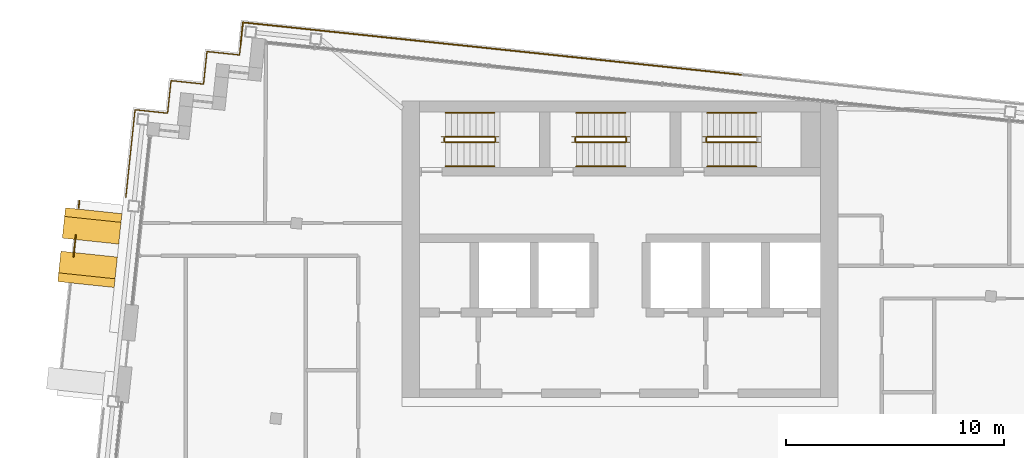
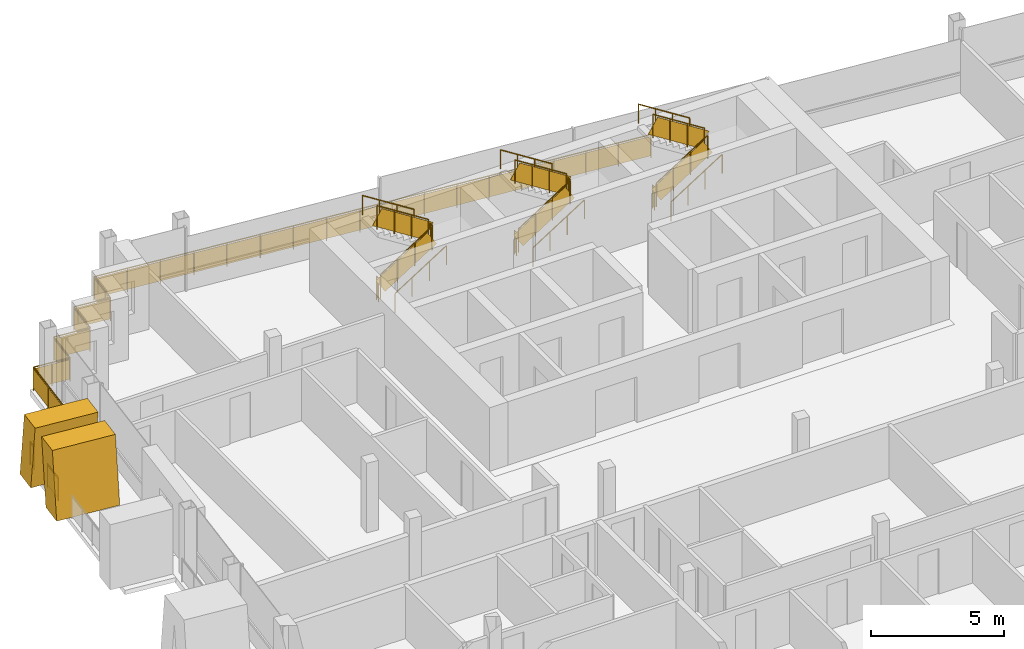
# One storey, part 15 of 16: 22 railings, 2 shading devices.
"""IFC4 building model written with IfcOpenShell, lengths in metres."""

from ifc_helpers import new_model, si_unit, direction, frame, origin, origin_2d, place, context, subcontext, project, spatial, polyline, rectangle, circle, outline, extrude, material, layer, layer_set, type_object, element, save


model = new_model("IFC4")

# Units and contexts
model_context = context("Model", 3, precision=1e-05, world=origin(), true_north=direction((0.0, 1.0)))
body_context = subcontext(model_context, "Body", "Model", "MODEL_VIEW")
ifc_project = project(units=[si_unit("LENGTHUNIT", "METRE"), si_unit("AREAUNIT", "SQUARE_METRE"), si_unit("VOLUMEUNIT", "CUBIC_METRE"), si_unit("PLANEANGLEUNIT", "RADIAN"), si_unit("MASSUNIT", "GRAM", prefix="KILO")], contexts=[model_context])

# Site, building, storey
site_placement = place(None, origin())
site = spatial("IfcSite", under=ifc_project, at=site_placement, CompositionType="ELEMENT")
building_placement = place(site_placement, origin())
building = spatial("IfcBuilding", under=site, at=building_placement, Name="Vidyagriha Tower", CompositionType="ELEMENT")
storey_placement = place(building_placement, frame((0.0, 0.0, 256.300048828125)))
storey = spatial("IfcBuildingStorey", under=building, at=storey_placement, Name="L66", CompositionType="ELEMENT", Elevation=256.300048828125)

# Railings
ifc_material_1 = material(Name="Steel ASTM A500 Grade C black painted", Category="steel")
railing_type_1 = type_object("IfcRailingType", Name="Balcony guard 1100", PredefinedType="BALUSTRADE", material=ifc_material_1)
railing_1_placement = place(storey_placement, frame((-24.7763671875, 15.435302734375, 0.0)))
element("IfcRailing", 1, at=railing_1_placement, inside=storey, type_object=railing_type_1, Name="Balcony guard L66 R14.1-1", PredefinedType="BALUSTRADE", context=body_context, shape_type="SweptSolid", body=[
    extrude(circle(Radius=0.02490234375, at=origin_2d()), frame((0.0, 0.0, 1.0751953125), z_axis=(-0.104612176701, -0.99451309317, 0.0), x_axis=(0.99451309317, -0.104612176701, 0.0)), (0.0, 0.0, 1.0), 0.35009765625),
    extrude(circle(Radius=0.02001953125, at=origin_2d()), origin(), (0.0, 0.0, 1.0), 1.050048828125),
    extrude(circle(Radius=0.02001953125, at=origin_2d()), frame((-0.03662109375, -0.34814453125, 0.0)), (0.0, 0.0, 1.0), 1.050048828125),
    extrude(rectangle(XDim=0.010009765625, YDim=0.900146484375, at=origin_2d()), frame((0.0, 0.0, 0.550048828125), z_axis=(-0.104612176701, -0.99451309317, 0.0), x_axis=(0.99451309317, -0.104612176701, 0.0)), (0.0, 0.0, 1.0), 0.35009765625),
])
railing_2_placement = place(storey_placement, frame((-24.944091796875, 13.840576171875, 0.0)))
element("IfcRailing", 2, at=railing_2_placement, inside=storey, type_object=railing_type_1, Name="Balcony guard L66 R14.1-2", PredefinedType="BALUSTRADE", context=body_context, shape_type="SweptSolid", body=[
    extrude(circle(Radius=0.02490234375, at=origin_2d()), frame((0.0, 0.0, 1.0751953125), z_axis=(-0.104467261141, -0.994528326067, 0.0), x_axis=(0.994528326067, -0.104467261141, 0.0)), (0.0, 0.0, 1.0), 0.9931640625),
    extrude(circle(Radius=0.02001953125, at=origin_2d()), origin(), (0.0, 0.0, 1.0), 1.050048828125),
    extrude(circle(Radius=0.02001953125, at=origin_2d()), frame((-0.103759765625, -0.98779296875, 0.0)), (0.0, 0.0, 1.0), 1.050048828125),
    extrude(rectangle(XDim=0.010009765625, YDim=0.900146484375, at=origin_2d()), frame((0.0, 0.0, 0.550048828125), z_axis=(-0.104467261141, -0.994528326067, 0.0), x_axis=(0.994528326067, -0.104467261141, 0.0)), (0.0, 0.0, 1.0), 0.9931640625),
])

# Shading devices
ifc_material_2 = material(Name="Precast concrete C40/50 with buff brick facing", Category="concrete")
ifc_layer = layer(ifc_material_2, 1.0)
ifc_layer_set = layer_set([ifc_layer], Name="Precast concrete C40/50 with buff brick facing")
shading_device_type = type_object("IfcShadingDeviceType", Name="Brick-faced blade fin arm leaning 8 degrees", PredefinedType="USERDEFINED", material=ifc_layer_set)
shading_device_1_placement = place(storey_placement, frame((-24.1220703125, 14.964111328125, 0.0), z_axis=(0.0, 0.0, 1.0), x_axis=(-0.104475959313, -0.994527412355, 0.0)))
element("IfcShadingDevice", 3, at=shading_device_1_placement, inside=storey, type_object=shading_device_type, Name="Leaning blade fin L66 R14.330a", ObjectType="BLADE FIN", PredefinedType="USERDEFINED", context=body_context, shape_type="SweptSolid", body=[
    extrude(outline(polyline([(0.0, 0.0), (1.0, 0.0), (1.39990234375, 3.0), (0.39990234375, 3.0), (0.0, 0.0)])), frame((0.0, 1.300048828125, 0.0), z_axis=(0.0, -1.0, 0.0), x_axis=(1.0, 0.0, 0.0)), (0.0, 0.0, 1.0), 2.60009765625),
])
shading_device_2_placement = place(storey_placement, frame((-24.331298828125, 12.97509765625, 0.0), z_axis=(0.0, 0.0, 1.0), x_axis=(-0.104475959313, -0.994527412355, 0.0)))
element("IfcShadingDevice", 4, at=shading_device_2_placement, inside=storey, type_object=shading_device_type, Name="Leaning blade fin L66 R14.330b", ObjectType="BLADE FIN", PredefinedType="USERDEFINED", context=body_context, shape_type="SweptSolid", body=[
    extrude(outline(polyline([(0.39990234375, 0.0), (1.39990234375, 0.0), (1.0, 3.0), (0.0, 3.0), (0.39990234375, 0.0)])), frame((0.0, 1.300048828125, 0.0), z_axis=(0.0, -1.0, 0.0), x_axis=(1.0, 0.0, 0.0)), (0.0, 0.0, 1.0), 2.60009765625),
])

# Railings
ifc_material_3 = material(Name="Steel ASTM A500 Grade C black painted", Category="steel")
railing_type_2 = type_object("IfcRailingType", Name="Gallery guard 1100", PredefinedType="GUARDRAIL", material=ifc_material_3)
railing_3_placement = place(storey_placement, frame((-22.650390625, 15.57373046875, 0.0)))
element("IfcRailing", 5, at=railing_3_placement, inside=storey, type_object=railing_type_2, Name="Gallery guard L66 4", PredefinedType="GUARDRAIL", context=body_context, shape_type="SweptSolid", body=[
    extrude(circle(Radius=0.02490234375, at=origin_2d()), frame((0.0, 0.0, 1.0751953125), z_axis=(0.104546370699, 0.994520013058, 0.0), x_axis=(-0.994520013058, 0.104546370699, 0.0)), (0.0, 0.0, 1.0), 4.0400390625),
    extrude(circle(Radius=0.02490234375, at=origin_2d()), frame((0.42236328125, 4.017822265625, 1.0751953125), z_axis=(0.994526834051, -0.104481464157, 0.0), x_axis=(0.104481464157, 0.994526834051, 0.0)), (0.0, 0.0, 1.0), 1.500244140625),
    extrude(circle(Radius=0.02490234375, at=origin_2d()), frame((1.914306640625, 3.861083984375, 1.0751953125), z_axis=(0.104498377516, 0.994525057048, 0.0), x_axis=(-0.994525057048, 0.104498377516, 0.0)), (0.0, 0.0, 1.0), 1.5),
    extrude(circle(Radius=0.02490234375, at=origin_2d()), frame((2.071044921875, 5.352783203125, 1.0751953125), z_axis=(0.994525057048, -0.104498377516, 0.0), x_axis=(0.104498377516, 0.994525057048, 0.0)), (0.0, 0.0, 1.0), 1.5),
    extrude(circle(Radius=0.02490234375, at=origin_2d()), frame((3.562744140625, 5.196044921875, 1.0751953125), z_axis=(0.104498377516, 0.994525057048, 0.0), x_axis=(-0.994525057048, 0.104498377516, 0.0)), (0.0, 0.0, 1.0), 1.5),
    extrude(circle(Radius=0.02490234375, at=origin_2d()), frame((3.719482421875, 6.687744140625, 1.0751953125), z_axis=(0.994525057048, -0.104498377516, 0.0), x_axis=(0.104498377516, 0.994525057048, 0.0)), (0.0, 0.0, 1.0), 1.5),
    extrude(circle(Radius=0.02490234375, at=origin_2d()), frame((5.211181640625, 6.531005859375, 1.0751953125), z_axis=(0.10449150849, 0.994525778778, 0.0), x_axis=(-0.994525778778, 0.10449150849, 0.0)), (0.0, 0.0, 1.0), 0.460205078125),
    extrude(circle(Radius=0.02001953125, at=origin_2d()), origin(), (0.0, 0.0, 1.0), 1.050048828125),
    extrude(circle(Radius=0.02001953125, at=origin_2d()), frame((0.140869140625, 1.33935546875, 0.0)), (0.0, 0.0, 1.0), 1.050048828125),
    extrude(circle(Radius=0.02001953125, at=origin_2d()), frame((0.281494140625, 2.678466796875, 0.0)), (0.0, 0.0, 1.0), 1.050048828125),
    extrude(circle(Radius=0.02001953125, at=origin_2d()), frame((0.42236328125, 4.017822265625, 0.0)), (0.0, 0.0, 1.0), 1.050048828125),
    extrude(circle(Radius=0.02001953125, at=origin_2d()), frame((1.16845703125, 3.939453125, 0.0)), (0.0, 0.0, 1.0), 1.050048828125),
    extrude(circle(Radius=0.02001953125, at=origin_2d()), frame((1.914306640625, 3.861083984375, 0.0)), (0.0, 0.0, 1.0), 1.050048828125),
    extrude(circle(Radius=0.02001953125, at=origin_2d()), frame((2.071044921875, 5.352783203125, 0.0)), (0.0, 0.0, 1.0), 1.050048828125),
    extrude(circle(Radius=0.02001953125, at=origin_2d()), frame((3.562744140625, 5.196044921875, 0.0)), (0.0, 0.0, 1.0), 1.050048828125),
    extrude(circle(Radius=0.02001953125, at=origin_2d()), frame((3.719482421875, 6.687744140625, 0.0)), (0.0, 0.0, 1.0), 1.050048828125),
    extrude(circle(Radius=0.02001953125, at=origin_2d()), frame((5.211181640625, 6.531005859375, 0.0)), (0.0, 0.0, 1.0), 1.050048828125),
    extrude(circle(Radius=0.02001953125, at=origin_2d()), frame((5.25927734375, 6.98876953125, 0.0)), (0.0, 0.0, 1.0), 1.050048828125),
    extrude(rectangle(XDim=0.010009765625, YDim=0.900146484375, at=origin_2d()), frame((0.0, 0.0, 0.550048828125), z_axis=(0.104546370699, 0.994520013058, 0.0), x_axis=(-0.994520013058, 0.104546370699, 0.0)), (0.0, 0.0, 1.0), 4.0400390625),
    extrude(rectangle(XDim=0.010009765625, YDim=0.900146484375, at=origin_2d()), frame((0.42236328125, 4.017822265625, 0.550048828125), z_axis=(0.994526834051, -0.104481464157, 0.0), x_axis=(0.104481464157, 0.994526834051, 0.0)), (0.0, 0.0, 1.0), 1.500244140625),
    extrude(rectangle(XDim=0.010009765625, YDim=0.900146484375, at=origin_2d()), frame((1.914306640625, 3.861083984375, 0.550048828125), z_axis=(0.104498377516, 0.994525057048, 0.0), x_axis=(-0.994525057048, 0.104498377516, 0.0)), (0.0, 0.0, 1.0), 1.5),
    extrude(rectangle(XDim=0.010009765625, YDim=0.900146484375, at=origin_2d()), frame((2.071044921875, 5.352783203125, 0.550048828125), z_axis=(0.994525057048, -0.104498377516, 0.0), x_axis=(0.104498377516, 0.994525057048, 0.0)), (0.0, 0.0, 1.0), 1.5),
    extrude(rectangle(XDim=0.010009765625, YDim=0.900146484375, at=origin_2d()), frame((3.562744140625, 5.196044921875, 0.550048828125), z_axis=(0.104498377516, 0.994525057048, 0.0), x_axis=(-0.994525057048, 0.104498377516, 0.0)), (0.0, 0.0, 1.0), 1.5),
    extrude(rectangle(XDim=0.010009765625, YDim=0.900146484375, at=origin_2d()), frame((3.719482421875, 6.687744140625, 0.550048828125), z_axis=(0.994525057048, -0.104498377516, 0.0), x_axis=(0.104498377516, 0.994525057048, 0.0)), (0.0, 0.0, 1.0), 1.5),
    extrude(rectangle(XDim=0.010009765625, YDim=0.900146484375, at=origin_2d()), frame((5.211181640625, 6.531005859375, 0.550048828125), z_axis=(0.10449150849, 0.994525778778, 0.0), x_axis=(-0.994525778778, 0.10449150849, 0.0)), (0.0, 0.0, 1.0), 0.460205078125),
])
railing_4_placement = place(storey_placement, frame((-17.39111328125, 22.5625, 0.0)))
element("IfcRailing", 6, at=railing_4_placement, inside=storey, type_object=railing_type_2, Name="Gallery guard L66 5", PredefinedType="GUARDRAIL", context=body_context, shape_type="SweptSolid", body=[
    extrude(circle(Radius=0.02490234375, at=origin_2d()), frame((0.0, 0.0, 1.0751953125), z_axis=(0.104733680268, 0.994500304785, 0.0), x_axis=(-0.994500304785, 0.104733680268, 0.0)), (0.0, 0.0, 1.0), 1.03955078125),
    extrude(circle(Radius=0.02490234375, at=origin_2d()), frame((0.10888671875, 1.033935546875, 1.0751953125), z_axis=(0.994520943118, -0.104537522925, 0.0), x_axis=(0.104537522925, 0.994520943118, 0.0)), (0.0, 0.0, 1.0), 10.960205078125),
    extrude(circle(Radius=0.02001953125, at=origin_2d()), origin(), (0.0, 0.0, 1.0), 1.050048828125),
    extrude(circle(Radius=0.02001953125, at=origin_2d()), frame((0.10888671875, 1.033935546875, 0.0)), (0.0, 0.0, 1.0), 1.050048828125),
    extrude(circle(Radius=0.02001953125, at=origin_2d()), frame((1.471435546875, 0.890625, 0.0)), (0.0, 0.0, 1.0), 1.050048828125),
    extrude(circle(Radius=0.02001953125, at=origin_2d()), frame((2.833984375, 0.74755859375, 0.0)), (0.0, 0.0, 1.0), 1.050048828125),
    extrude(circle(Radius=0.02001953125, at=origin_2d()), frame((4.196533203125, 0.604248046875, 0.0)), (0.0, 0.0, 1.0), 1.050048828125),
    extrude(circle(Radius=0.02001953125, at=origin_2d()), frame((5.55908203125, 0.4609375, 0.0)), (0.0, 0.0, 1.0), 1.050048828125),
    extrude(circle(Radius=0.02001953125, at=origin_2d()), frame((6.92138671875, 0.31787109375, 0.0)), (0.0, 0.0, 1.0), 1.050048828125),
    extrude(circle(Radius=0.02001953125, at=origin_2d()), frame((8.283935546875, 0.174560546875, 0.0)), (0.0, 0.0, 1.0), 1.050048828125),
    extrude(circle(Radius=0.02001953125, at=origin_2d()), frame((9.646484375, 0.031494140625, 0.0)), (0.0, 0.0, 1.0), 1.050048828125),
    extrude(circle(Radius=0.02001953125, at=origin_2d()), frame((11.009033203125, -0.11181640625, 0.0)), (0.0, 0.0, 1.0), 1.050048828125),
    extrude(rectangle(XDim=0.010009765625, YDim=0.900146484375, at=origin_2d()), frame((0.0, 0.0, 0.550048828125), z_axis=(0.104733680268, 0.994500304785, 0.0), x_axis=(-0.994500304785, 0.104733680268, 0.0)), (0.0, 0.0, 1.0), 1.03955078125),
    extrude(rectangle(XDim=0.010009765625, YDim=0.900146484375, at=origin_2d()), frame((0.10888671875, 1.033935546875, 0.550048828125), z_axis=(0.994520943118, -0.104537522925, 0.0), x_axis=(0.104537522925, 0.994520943118, 0.0)), (0.0, 0.0, 1.0), 10.960205078125),
])
railing_5_placement = place(storey_placement, frame((-6.382080078125, 22.45068359375, 0.0)))
element("IfcRailing", 7, at=railing_5_placement, inside=storey, type_object=railing_type_2, Name="Gallery guard L66 6", PredefinedType="GUARDRAIL", context=body_context, shape_type="SweptSolid", body=[
    extrude(circle(Radius=0.02490234375, at=origin_2d()), frame((0.0, 0.0, 1.0751953125), z_axis=(0.994523609071, -0.104512157188, 0.0), x_axis=(0.104512157188, 0.994523609071, 0.0)), (0.0, 0.0, 1.0), 12.0),
    extrude(circle(Radius=0.02001953125, at=origin_2d()), origin(), (0.0, 0.0, 1.0), 1.050048828125),
    extrude(circle(Radius=0.02001953125, at=origin_2d()), frame((1.325927734375, -0.139404296875, 0.0)), (0.0, 0.0, 1.0), 1.050048828125),
    extrude(circle(Radius=0.02001953125, at=origin_2d()), frame((2.652099609375, -0.27880859375, 0.0)), (0.0, 0.0, 1.0), 1.050048828125),
    extrude(circle(Radius=0.02001953125, at=origin_2d()), frame((3.97802734375, -0.41796875, 0.0)), (0.0, 0.0, 1.0), 1.050048828125),
    extrude(circle(Radius=0.02001953125, at=origin_2d()), frame((5.30419921875, -0.557373046875, 0.0)), (0.0, 0.0, 1.0), 1.050048828125),
    extrude(circle(Radius=0.02001953125, at=origin_2d()), frame((6.630126953125, -0.69677734375, 0.0)), (0.0, 0.0, 1.0), 1.050048828125),
    extrude(circle(Radius=0.02001953125, at=origin_2d()), frame((7.956298828125, -0.836181640625, 0.0)), (0.0, 0.0, 1.0), 1.050048828125),
    extrude(circle(Radius=0.02001953125, at=origin_2d()), frame((9.2822265625, -0.975341796875, 0.0)), (0.0, 0.0, 1.0), 1.050048828125),
    extrude(circle(Radius=0.02001953125, at=origin_2d()), frame((10.6083984375, -1.11474609375, 0.0)), (0.0, 0.0, 1.0), 1.050048828125),
    extrude(circle(Radius=0.02001953125, at=origin_2d()), frame((11.934326171875, -1.254150390625, 0.0)), (0.0, 0.0, 1.0), 1.050048828125),
    extrude(rectangle(XDim=0.010009765625, YDim=0.900146484375, at=origin_2d()), frame((0.0, 0.0, 0.550048828125), z_axis=(0.994523609071, -0.104512157188, 0.0), x_axis=(0.104512157188, 0.994523609071, 0.0)), (0.0, 0.0, 1.0), 12.0),
])
ifc_material_4 = material(Name="Steel ASTM A500 Grade C", Category="steel")
railing_type_3 = type_object("IfcRailingType", Name="Stair guard 1100 mm, steel balustrade", PredefinedType="GUARDRAIL", material=ifc_material_4)
railing_6_placement = place(storey_placement, frame((-8.0, 18.10009765625, 0.177734375)))
element("IfcRailing", 8, at=railing_6_placement, inside=storey, type_object=railing_type_3, Name="L66 ST1 stair guard 1", PredefinedType="GUARDRAIL", context=body_context, shape_type="SweptSolid", body=[
    extrude(circle(Radius=0.02392578125, at=origin_2d()), frame((0.0, 0.0, 1.076171875), z_axis=(0.8442293374, 0.0, 0.53598211339), x_axis=(0.0, 1.0, 0.0)), (0.0, 0.0, 1.0), 2.6533203125),
    extrude(circle(Radius=0.02099609375, at=origin_2d()), origin(), (0.0, 0.0, 1.0), 1.052001953125),
    extrude(circle(Radius=0.02099609375, at=origin_2d()), frame((0.74658203125, 0.0, 0.47412109375)), (0.0, 0.0, 1.0), 1.052001953125),
    extrude(circle(Radius=0.02099609375, at=origin_2d()), frame((1.493408203125, 0.0, 0.947998046875)), (0.0, 0.0, 1.0), 1.052001953125),
    extrude(circle(Radius=0.02099609375, at=origin_2d()), frame((2.239990234375, 0.0, 1.422119140625)), (0.0, 0.0, 1.0), 1.052001953125),
    extrude(rectangle(XDim=0.010009765625, YDim=0.761474609375, at=origin_2d()), frame((0.0, 0.0, 0.551025390625), z_axis=(0.8442293374, 0.0, 0.53598211339), x_axis=(0.0, 1.0, 0.0)), (0.0, 0.0, 1.0), 2.6533203125),
])
railing_7_placement = place(storey_placement, frame((-5.7099609375, 18.14990234375, 1.599853515625)))
element("IfcRailing", 9, at=railing_7_placement, inside=storey, type_object=railing_type_3, Name="L66 ST1 stair guard 2", PredefinedType="GUARDRAIL", context=body_context, shape_type="SweptSolid", body=[
    extrude(circle(Radius=0.02392578125, at=origin_2d()), frame((0.0, 0.0, 1.076171875), z_axis=(0.0, 1.0, 0.0), x_axis=(-1.0, 0.0, 0.0)), (0.0, 0.0, 1.0), 0.150146484375),
    extrude(circle(Radius=0.02099609375, at=origin_2d()), origin(), (0.0, 0.0, 1.0), 1.052001953125),
    extrude(circle(Radius=0.02099609375, at=origin_2d()), frame((0.0, 0.150146484375, 0.0)), (0.0, 0.0, 1.0), 1.052001953125),
    extrude(rectangle(XDim=0.010009765625, YDim=0.902099609375, at=origin_2d()), frame((0.0, 0.0, 0.551025390625), z_axis=(0.0, 1.0, 0.0), x_axis=(-1.0, 0.0, 0.0)), (0.0, 0.0, 1.0), 0.150146484375),
])
railing_8_placement = place(storey_placement, frame((-5.760009765625, 18.35009765625, 1.77783203125)))
element("IfcRailing", 10, at=railing_8_placement, inside=storey, type_object=railing_type_3, Name="L66 ST1 stair guard 3", PredefinedType="GUARDRAIL", context=body_context, shape_type="SweptSolid", body=[
    extrude(circle(Radius=0.02392578125, at=origin_2d()), frame((0.0, 0.0, 1.076171875), z_axis=(-0.8442293374, 0.0, 0.53598211339), x_axis=(0.0, -1.0, 0.0)), (0.0, 0.0, 1.0), 2.6533203125),
    extrude(circle(Radius=0.02099609375, at=origin_2d()), origin(), (0.0, 0.0, 1.0), 1.052001953125),
    extrude(circle(Radius=0.02099609375, at=origin_2d()), frame((-0.74658203125, 0.0, 0.47412109375)), (0.0, 0.0, 1.0), 1.052001953125),
    extrude(circle(Radius=0.02099609375, at=origin_2d()), frame((-1.493408203125, 0.0, 0.947998046875)), (0.0, 0.0, 1.0), 1.052001953125),
    extrude(circle(Radius=0.02099609375, at=origin_2d()), frame((-2.239990234375, 0.0, 1.422119140625)), (0.0, 0.0, 1.0), 1.052001953125),
    extrude(rectangle(XDim=0.010009765625, YDim=0.761474609375, at=origin_2d()), frame((0.0, 0.0, 0.551025390625), z_axis=(-0.8442293374, 0.0, 0.53598211339), x_axis=(0.0, -1.0, 0.0)), (0.0, 0.0, 1.0), 2.6533203125),
])
railing_9_placement = place(storey_placement, frame((-8.050048828125, 18.14990234375, 0.0)))
element("IfcRailing", 11, at=railing_9_placement, inside=storey, type_object=railing_type_3, Name="L66 ST1 stair guard 4", PredefinedType="GUARDRAIL", context=body_context, shape_type="SweptSolid", body=[
    extrude(circle(Radius=0.02392578125, at=origin_2d()), frame((0.0, 0.0, 1.076171875), z_axis=(0.0, 1.0, 0.0), x_axis=(-1.0, 0.0, 0.0)), (0.0, 0.0, 1.0), 0.150146484375),
    extrude(circle(Radius=0.02099609375, at=origin_2d()), origin(), (0.0, 0.0, 1.0), 1.052001953125),
    extrude(circle(Radius=0.02099609375, at=origin_2d()), frame((0.0, 0.150146484375, 0.0)), (0.0, 0.0, 1.0), 1.052001953125),
    extrude(rectangle(XDim=0.010009765625, YDim=0.902099609375, at=origin_2d()), frame((0.0, 0.0, 0.551025390625), z_axis=(0.0, 1.0, 0.0), x_axis=(-1.0, 0.0, 0.0)), (0.0, 0.0, 1.0), 0.150146484375),
])
railing_10_placement = place(storey_placement, frame((-2.0, 18.10009765625, 0.177734375)))
element("IfcRailing", 12, at=railing_10_placement, inside=storey, type_object=railing_type_3, Name="L66 ST2 stair guard 1", PredefinedType="GUARDRAIL", context=body_context, shape_type="SweptSolid", body=[
    extrude(circle(Radius=0.02392578125, at=origin_2d()), frame((0.0, 0.0, 1.076171875), z_axis=(0.8442293374, 0.0, 0.53598211339), x_axis=(0.0, 1.0, 0.0)), (0.0, 0.0, 1.0), 2.6533203125),
    extrude(circle(Radius=0.02099609375, at=origin_2d()), origin(), (0.0, 0.0, 1.0), 1.052001953125),
    extrude(circle(Radius=0.02099609375, at=origin_2d()), frame((0.74658203125, 0.0, 0.47412109375)), (0.0, 0.0, 1.0), 1.052001953125),
    extrude(circle(Radius=0.02099609375, at=origin_2d()), frame((1.493408203125, 0.0, 0.947998046875)), (0.0, 0.0, 1.0), 1.052001953125),
    extrude(circle(Radius=0.02099609375, at=origin_2d()), frame((2.239990234375, 0.0, 1.422119140625)), (0.0, 0.0, 1.0), 1.052001953125),
    extrude(rectangle(XDim=0.010009765625, YDim=0.761474609375, at=origin_2d()), frame((0.0, 0.0, 0.551025390625), z_axis=(0.8442293374, 0.0, 0.53598211339), x_axis=(0.0, 1.0, 0.0)), (0.0, 0.0, 1.0), 2.6533203125),
])
railing_11_placement = place(storey_placement, frame((0.2900390625, 18.14990234375, 1.599853515625)))
element("IfcRailing", 13, at=railing_11_placement, inside=storey, type_object=railing_type_3, Name="L66 ST2 stair guard 2", PredefinedType="GUARDRAIL", context=body_context, shape_type="SweptSolid", body=[
    extrude(circle(Radius=0.02392578125, at=origin_2d()), frame((0.0, 0.0, 1.076171875), z_axis=(0.0, 1.0, 0.0), x_axis=(-1.0, 0.0, 0.0)), (0.0, 0.0, 1.0), 0.150146484375),
    extrude(circle(Radius=0.02099609375, at=origin_2d()), origin(), (0.0, 0.0, 1.0), 1.052001953125),
    extrude(circle(Radius=0.02099609375, at=origin_2d()), frame((0.0, 0.150146484375, 0.0)), (0.0, 0.0, 1.0), 1.052001953125),
    extrude(rectangle(XDim=0.010009765625, YDim=0.902099609375, at=origin_2d()), frame((0.0, 0.0, 0.551025390625), z_axis=(0.0, 1.0, 0.0), x_axis=(-1.0, 0.0, 0.0)), (0.0, 0.0, 1.0), 0.150146484375),
])
railing_12_placement = place(storey_placement, frame((0.239990234375, 18.35009765625, 1.77783203125)))
element("IfcRailing", 14, at=railing_12_placement, inside=storey, type_object=railing_type_3, Name="L66 ST2 stair guard 3", PredefinedType="GUARDRAIL", context=body_context, shape_type="SweptSolid", body=[
    extrude(circle(Radius=0.02392578125, at=origin_2d()), frame((0.0, 0.0, 1.076171875), z_axis=(-0.8442293374, 0.0, 0.53598211339), x_axis=(0.0, -1.0, 0.0)), (0.0, 0.0, 1.0), 2.6533203125),
    extrude(circle(Radius=0.02099609375, at=origin_2d()), origin(), (0.0, 0.0, 1.0), 1.052001953125),
    extrude(circle(Radius=0.02099609375, at=origin_2d()), frame((-0.74658203125, 0.0, 0.47412109375)), (0.0, 0.0, 1.0), 1.052001953125),
    extrude(circle(Radius=0.02099609375, at=origin_2d()), frame((-1.493408203125, 0.0, 0.947998046875)), (0.0, 0.0, 1.0), 1.052001953125),
    extrude(circle(Radius=0.02099609375, at=origin_2d()), frame((-2.239990234375, 0.0, 1.422119140625)), (0.0, 0.0, 1.0), 1.052001953125),
    extrude(rectangle(XDim=0.010009765625, YDim=0.761474609375, at=origin_2d()), frame((0.0, 0.0, 0.551025390625), z_axis=(-0.8442293374, 0.0, 0.53598211339), x_axis=(0.0, -1.0, 0.0)), (0.0, 0.0, 1.0), 2.6533203125),
])
railing_13_placement = place(storey_placement, frame((-2.050048828125, 18.14990234375, 0.0)))
element("IfcRailing", 15, at=railing_13_placement, inside=storey, type_object=railing_type_3, Name="L66 ST2 stair guard 4", PredefinedType="GUARDRAIL", context=body_context, shape_type="SweptSolid", body=[
    extrude(circle(Radius=0.02392578125, at=origin_2d()), frame((0.0, 0.0, 1.076171875), z_axis=(0.0, 1.0, 0.0), x_axis=(-1.0, 0.0, 0.0)), (0.0, 0.0, 1.0), 0.150146484375),
    extrude(circle(Radius=0.02099609375, at=origin_2d()), origin(), (0.0, 0.0, 1.0), 1.052001953125),
    extrude(circle(Radius=0.02099609375, at=origin_2d()), frame((0.0, 0.150146484375, 0.0)), (0.0, 0.0, 1.0), 1.052001953125),
    extrude(rectangle(XDim=0.010009765625, YDim=0.902099609375, at=origin_2d()), frame((0.0, 0.0, 0.551025390625), z_axis=(0.0, 1.0, 0.0), x_axis=(-1.0, 0.0, 0.0)), (0.0, 0.0, 1.0), 0.150146484375),
])
railing_14_placement = place(storey_placement, frame((4.0, 18.10009765625, 0.177734375)))
element("IfcRailing", 16, at=railing_14_placement, inside=storey, type_object=railing_type_3, Name="L66 ST3 stair guard 1", PredefinedType="GUARDRAIL", context=body_context, shape_type="SweptSolid", body=[
    extrude(circle(Radius=0.02392578125, at=origin_2d()), frame((0.0, 0.0, 1.076171875), z_axis=(0.8442293374, 0.0, 0.53598211339), x_axis=(0.0, 1.0, 0.0)), (0.0, 0.0, 1.0), 2.6533203125),
    extrude(circle(Radius=0.02099609375, at=origin_2d()), origin(), (0.0, 0.0, 1.0), 1.052001953125),
    extrude(circle(Radius=0.02099609375, at=origin_2d()), frame((0.74658203125, 0.0, 0.47412109375)), (0.0, 0.0, 1.0), 1.052001953125),
    extrude(circle(Radius=0.02099609375, at=origin_2d()), frame((1.493408203125, 0.0, 0.947998046875)), (0.0, 0.0, 1.0), 1.052001953125),
    extrude(circle(Radius=0.02099609375, at=origin_2d()), frame((2.239990234375, 0.0, 1.422119140625)), (0.0, 0.0, 1.0), 1.052001953125),
    extrude(rectangle(XDim=0.010009765625, YDim=0.761474609375, at=origin_2d()), frame((0.0, 0.0, 0.551025390625), z_axis=(0.8442293374, 0.0, 0.53598211339), x_axis=(0.0, 1.0, 0.0)), (0.0, 0.0, 1.0), 2.6533203125),
])
railing_15_placement = place(storey_placement, frame((6.239990234375, 18.35009765625, 1.77783203125)))
element("IfcRailing", 17, at=railing_15_placement, inside=storey, type_object=railing_type_3, Name="L66 ST3 stair guard 3", PredefinedType="GUARDRAIL", context=body_context, shape_type="SweptSolid", body=[
    extrude(circle(Radius=0.02392578125, at=origin_2d()), frame((0.0, 0.0, 1.076171875), z_axis=(-0.8442293374, 0.0, 0.53598211339), x_axis=(0.0, -1.0, 0.0)), (0.0, 0.0, 1.0), 2.6533203125),
    extrude(circle(Radius=0.02099609375, at=origin_2d()), origin(), (0.0, 0.0, 1.0), 1.052001953125),
    extrude(circle(Radius=0.02099609375, at=origin_2d()), frame((-0.74658203125, 0.0, 0.47412109375)), (0.0, 0.0, 1.0), 1.052001953125),
    extrude(circle(Radius=0.02099609375, at=origin_2d()), frame((-1.493408203125, 0.0, 0.947998046875)), (0.0, 0.0, 1.0), 1.052001953125),
    extrude(circle(Radius=0.02099609375, at=origin_2d()), frame((-2.239990234375, 0.0, 1.422119140625)), (0.0, 0.0, 1.0), 1.052001953125),
    extrude(rectangle(XDim=0.010009765625, YDim=0.761474609375, at=origin_2d()), frame((0.0, 0.0, 0.551025390625), z_axis=(-0.8442293374, 0.0, 0.53598211339), x_axis=(0.0, -1.0, 0.0)), (0.0, 0.0, 1.0), 2.6533203125),
])
railing_16_placement = place(storey_placement, frame((3.949951171875, 18.14990234375, 0.0)))
element("IfcRailing", 18, at=railing_16_placement, inside=storey, type_object=railing_type_3, Name="L66 ST3 stair guard 4", PredefinedType="GUARDRAIL", context=body_context, shape_type="SweptSolid", body=[
    extrude(circle(Radius=0.02392578125, at=origin_2d()), frame((0.0, 0.0, 1.076171875), z_axis=(0.0, 1.0, 0.0), x_axis=(-1.0, 0.0, 0.0)), (0.0, 0.0, 1.0), 0.150146484375),
    extrude(circle(Radius=0.02099609375, at=origin_2d()), origin(), (0.0, 0.0, 1.0), 1.052001953125),
    extrude(circle(Radius=0.02099609375, at=origin_2d()), frame((0.0, 0.150146484375, 0.0)), (0.0, 0.0, 1.0), 1.052001953125),
    extrude(rectangle(XDim=0.010009765625, YDim=0.902099609375, at=origin_2d()), frame((0.0, 0.0, 0.551025390625), z_axis=(0.0, 1.0, 0.0), x_axis=(-1.0, 0.0, 0.0)), (0.0, 0.0, 1.0), 0.150146484375),
])
ifc_material_5 = material(Name="Steel ASTM A500 Grade C", Category="steel")
railing_type_4 = type_object("IfcRailingType", Name="Stair handrail 900 mm, steel", PredefinedType="HANDRAIL", material=ifc_material_5)
railing_17_placement = place(storey_placement, frame((-8.0, 17.0, 0.177734375)))
element("IfcRailing", 19, at=railing_17_placement, inside=storey, type_object=railing_type_4, Name="L66 ST1 stair handrail 1", PredefinedType="HANDRAIL", context=body_context, shape_type="SweptSolid", body=[
    extrude(circle(Radius=0.02392578125, at=origin_2d()), frame((0.0, 0.0, 0.8759765625), z_axis=(0.8442293374, 0.0, 0.53598211339), x_axis=(0.0, 1.0, 0.0)), (0.0, 0.0, 1.0), 2.6533203125),
    extrude(circle(Radius=0.02099609375, at=origin_2d()), origin(), (0.0, 0.0, 1.0), 0.851806640625),
    extrude(circle(Radius=0.02099609375, at=origin_2d()), frame((0.74658203125, 0.0, 0.47412109375)), (0.0, 0.0, 1.0), 0.851806640625),
    extrude(circle(Radius=0.02099609375, at=origin_2d()), frame((1.493408203125, 0.0, 0.947998046875)), (0.0, 0.0, 1.0), 0.851806640625),
    extrude(circle(Radius=0.02099609375, at=origin_2d()), frame((2.239990234375, 0.0, 1.422119140625)), (0.0, 0.0, 1.0), 0.851806640625),
])
railing_18_placement = place(storey_placement, frame((-5.760009765625, 19.449951171875, 1.77783203125)))
element("IfcRailing", 20, at=railing_18_placement, inside=storey, type_object=railing_type_4, Name="L66 ST1 stair handrail 2", PredefinedType="HANDRAIL", context=body_context, shape_type="SweptSolid", body=[
    extrude(circle(Radius=0.02392578125, at=origin_2d()), frame((0.0, 0.0, 0.8759765625), z_axis=(-0.8442293374, 0.0, 0.53598211339), x_axis=(0.0, -1.0, 0.0)), (0.0, 0.0, 1.0), 2.6533203125),
    extrude(circle(Radius=0.02099609375, at=origin_2d()), origin(), (0.0, 0.0, 1.0), 0.851806640625),
    extrude(circle(Radius=0.02099609375, at=origin_2d()), frame((-0.74658203125, 0.0, 0.47412109375)), (0.0, 0.0, 1.0), 0.851806640625),
    extrude(circle(Radius=0.02099609375, at=origin_2d()), frame((-1.493408203125, 0.0, 0.947998046875)), (0.0, 0.0, 1.0), 0.851806640625),
    extrude(circle(Radius=0.02099609375, at=origin_2d()), frame((-2.239990234375, 0.0, 1.422119140625)), (0.0, 0.0, 1.0), 0.851806640625),
])
railing_19_placement = place(storey_placement, frame((-2.0, 17.0, 0.177734375)))
element("IfcRailing", 21, at=railing_19_placement, inside=storey, type_object=railing_type_4, Name="L66 ST2 stair handrail 1", PredefinedType="HANDRAIL", context=body_context, shape_type="SweptSolid", body=[
    extrude(circle(Radius=0.02392578125, at=origin_2d()), frame((0.0, 0.0, 0.8759765625), z_axis=(0.8442293374, 0.0, 0.53598211339), x_axis=(0.0, 1.0, 0.0)), (0.0, 0.0, 1.0), 2.6533203125),
    extrude(circle(Radius=0.02099609375, at=origin_2d()), origin(), (0.0, 0.0, 1.0), 0.851806640625),
    extrude(circle(Radius=0.02099609375, at=origin_2d()), frame((0.74658203125, 0.0, 0.47412109375)), (0.0, 0.0, 1.0), 0.851806640625),
    extrude(circle(Radius=0.02099609375, at=origin_2d()), frame((1.493408203125, 0.0, 0.947998046875)), (0.0, 0.0, 1.0), 0.851806640625),
    extrude(circle(Radius=0.02099609375, at=origin_2d()), frame((2.239990234375, 0.0, 1.422119140625)), (0.0, 0.0, 1.0), 0.851806640625),
])
railing_20_placement = place(storey_placement, frame((0.239990234375, 19.449951171875, 1.77783203125)))
element("IfcRailing", 22, at=railing_20_placement, inside=storey, type_object=railing_type_4, Name="L66 ST2 stair handrail 2", PredefinedType="HANDRAIL", context=body_context, shape_type="SweptSolid", body=[
    extrude(circle(Radius=0.02392578125, at=origin_2d()), frame((0.0, 0.0, 0.8759765625), z_axis=(-0.8442293374, 0.0, 0.53598211339), x_axis=(0.0, -1.0, 0.0)), (0.0, 0.0, 1.0), 2.6533203125),
    extrude(circle(Radius=0.02099609375, at=origin_2d()), origin(), (0.0, 0.0, 1.0), 0.851806640625),
    extrude(circle(Radius=0.02099609375, at=origin_2d()), frame((-0.74658203125, 0.0, 0.47412109375)), (0.0, 0.0, 1.0), 0.851806640625),
    extrude(circle(Radius=0.02099609375, at=origin_2d()), frame((-1.493408203125, 0.0, 0.947998046875)), (0.0, 0.0, 1.0), 0.851806640625),
    extrude(circle(Radius=0.02099609375, at=origin_2d()), frame((-2.239990234375, 0.0, 1.422119140625)), (0.0, 0.0, 1.0), 0.851806640625),
])
railing_21_placement = place(storey_placement, frame((4.0, 17.0, 0.177734375)))
element("IfcRailing", 23, at=railing_21_placement, inside=storey, type_object=railing_type_4, Name="L66 ST3 stair handrail 1", PredefinedType="HANDRAIL", context=body_context, shape_type="SweptSolid", body=[
    extrude(circle(Radius=0.02392578125, at=origin_2d()), frame((0.0, 0.0, 0.8759765625), z_axis=(0.8442293374, 0.0, 0.53598211339), x_axis=(0.0, 1.0, 0.0)), (0.0, 0.0, 1.0), 2.6533203125),
    extrude(circle(Radius=0.02099609375, at=origin_2d()), origin(), (0.0, 0.0, 1.0), 0.851806640625),
    extrude(circle(Radius=0.02099609375, at=origin_2d()), frame((0.74658203125, 0.0, 0.47412109375)), (0.0, 0.0, 1.0), 0.851806640625),
    extrude(circle(Radius=0.02099609375, at=origin_2d()), frame((1.493408203125, 0.0, 0.947998046875)), (0.0, 0.0, 1.0), 0.851806640625),
    extrude(circle(Radius=0.02099609375, at=origin_2d()), frame((2.239990234375, 0.0, 1.422119140625)), (0.0, 0.0, 1.0), 0.851806640625),
])
railing_22_placement = place(storey_placement, frame((6.239990234375, 19.449951171875, 1.77783203125)))
element("IfcRailing", 24, at=railing_22_placement, inside=storey, type_object=railing_type_4, Name="L66 ST3 stair handrail 2", PredefinedType="HANDRAIL", context=body_context, shape_type="SweptSolid", body=[
    extrude(circle(Radius=0.02392578125, at=origin_2d()), frame((0.0, 0.0, 0.8759765625), z_axis=(-0.8442293374, 0.0, 0.53598211339), x_axis=(0.0, -1.0, 0.0)), (0.0, 0.0, 1.0), 2.6533203125),
    extrude(circle(Radius=0.02099609375, at=origin_2d()), origin(), (0.0, 0.0, 1.0), 0.851806640625),
    extrude(circle(Radius=0.02099609375, at=origin_2d()), frame((-0.74658203125, 0.0, 0.47412109375)), (0.0, 0.0, 1.0), 0.851806640625),
    extrude(circle(Radius=0.02099609375, at=origin_2d()), frame((-1.493408203125, 0.0, 0.947998046875)), (0.0, 0.0, 1.0), 0.851806640625),
    extrude(circle(Radius=0.02099609375, at=origin_2d()), frame((-2.239990234375, 0.0, 1.422119140625)), (0.0, 0.0, 1.0), 0.851806640625),
])

save(model, "model.ifc")
